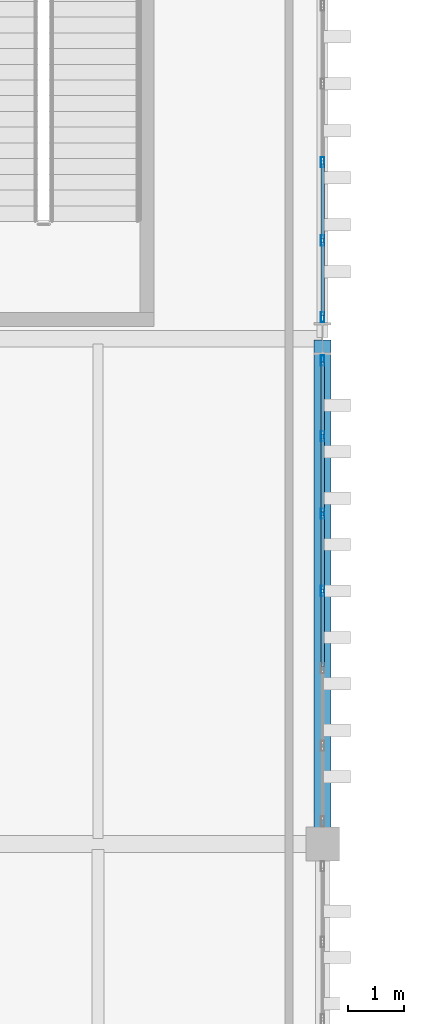
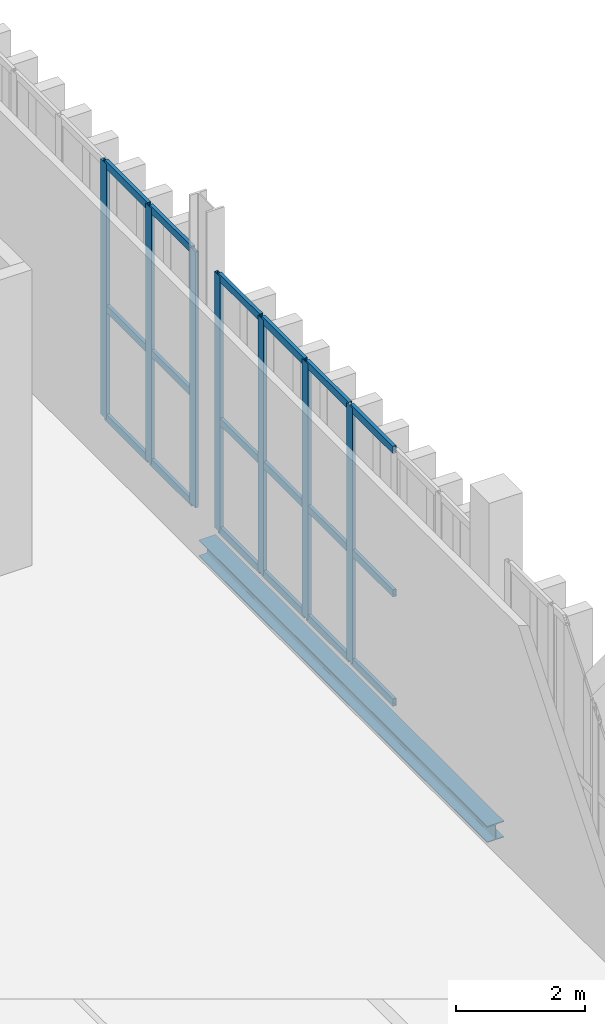
# One storey, part 132 of 237: 25 members, 1 beam, 2 elements without a shape of their own.
"""IFC4 building model written with IfcOpenShell, lengths in metres."""

from ifc_helpers import new_model, si_unit, direction, frame, origin, origin_2d, place, context, subcontext, project, spatial, hollow_rectangle, i_section, extrude, material, layer, layer_set, material_profile, profile_set, type_object, element, aggregate, save


model = new_model("IFC4")

# Units and contexts
model_context = context("Model", 3, precision=1e-05, world=origin(), true_north=direction((0.0, 1.0)))
body_context = subcontext(model_context, "Body", "Model", "MODEL_VIEW")
ifc_project = project(units=[si_unit("LENGTHUNIT", "METRE"), si_unit("AREAUNIT", "SQUARE_METRE"), si_unit("VOLUMEUNIT", "CUBIC_METRE"), si_unit("PLANEANGLEUNIT", "RADIAN"), si_unit("MASSUNIT", "GRAM", prefix="KILO")], contexts=[model_context])

# Site, building, storey
site_placement = place(None, origin())
site = spatial("IfcSite", under=ifc_project, at=site_placement, CompositionType="ELEMENT")
building_placement = place(site_placement, origin())
building = spatial("IfcBuilding", under=site, at=building_placement, Name="Barlavento Convention Centre", CompositionType="ELEMENT")
storey_placement = place(building_placement, frame((0.0, 0.0, 12.0)))
storey = spatial("IfcBuildingStorey", under=building, at=storey_placement, Name="L02", CompositionType="ELEMENT", Elevation=12.0)

# Curtain wall, members
ifc_material_1 = material(Name="Powder-coated aluminium and Low-E glass", Category="aluminium")
ifc_layer = layer(ifc_material_1, 0.195068359375)
ifc_layer_set = layer_set([ifc_layer], Name="ARC-CW-BALL-L02")
curtain_wall_type = type_object("IfcCurtainWallType", Name="ARC-CW-BALL-L02", PredefinedType="NOTDEFINED", material=ifc_layer_set)
curtain_wall_1_placement = place(storey_placement, origin())
curtain_wall_1 = element("IfcCurtainWall", 1, at=curtain_wall_1_placement, inside=storey, type_object=curtain_wall_type, Name="L02 unitised curtain wall CW07", PredefinedType="NOTDEFINED")
ifc_material_2 = material(Name="Powder-coated aluminium", Category="aluminium")
ifc_material_profile_1 = material_profile(ifc_material_2, hollow_rectangle(XDim=0.06005859375, YDim=0.179931640625, WallThickness=0.0048828125, at=origin_2d()), Name="AL-MULL 60x180x5")
ifc_profile_set_1 = profile_set([ifc_material_profile_1], Name="Powder-coated aluminium")
member_type_1 = type_object("IfcMemberType", Name="ARC-CWM-60X180", PredefinedType="MULLION", material=ifc_profile_set_1)
member_1_placement = place(storey_placement, frame((192.0, 31.507080078125, 0.0), z_axis=(0.0, 0.0, 1.0), x_axis=(-1.0, 0.0, 0.0)))
member_1 = element("IfcMember", 2, at=member_1_placement, type_object=member_type_1, Name="CW07 mullion 4", PredefinedType="MULLION", context=body_context, shape_type="SweptSolid", body=[
    extrude(hollow_rectangle(XDim=0.06005859375, YDim=0.179931640625, WallThickness=0.0048828125, at=origin_2d()), origin(), (0.0, 0.0, 1.0), 4.85009765625),
])
member_2_placement = place(storey_placement, frame((192.0, 32.885986328125, 0.0), z_axis=(0.0, 0.0, 1.0), x_axis=(-1.0, 0.0, 0.0)))
member_2 = element("IfcMember", 3, at=member_2_placement, type_object=member_type_1, Name="CW07 mullion 5", PredefinedType="MULLION", context=body_context, shape_type="SweptSolid", body=[
    extrude(hollow_rectangle(XDim=0.06005859375, YDim=0.179931640625, WallThickness=0.0048828125, at=origin_2d()), origin(), (0.0, 0.0, 1.0), 4.85009765625),
])
member_3_placement = place(storey_placement, frame((192.0, 34.264892578125, 0.0), z_axis=(0.0, 0.0, 1.0), x_axis=(-1.0, 0.0, 0.0)))
member_3 = element("IfcMember", 4, at=member_3_placement, type_object=member_type_1, Name="CW07 mullion 6", PredefinedType="MULLION", context=body_context, shape_type="SweptSolid", body=[
    extrude(hollow_rectangle(XDim=0.06005859375, YDim=0.179931640625, WallThickness=0.0048828125, at=origin_2d()), origin(), (0.0, 0.0, 1.0), 4.85009765625),
])
member_4_placement = place(storey_placement, frame((192.0, 35.614013671875, 0.0), z_axis=(0.0, 0.0, 1.0), x_axis=(-1.0, 0.0, 0.0)))
member_4 = element("IfcMember", 5, at=member_4_placement, type_object=member_type_1, Name="CW07 mullion 7", PredefinedType="MULLION", context=body_context, shape_type="SweptSolid", body=[
    extrude(hollow_rectangle(XDim=0.06005859375, YDim=0.179931640625, WallThickness=0.0048828125, at=origin_2d()), origin(), (0.0, 0.0, 1.0), 4.85009765625),
])

curtain_wall_2_placement = place(storey_placement, origin())
curtain_wall_2 = element("IfcCurtainWall", 6, at=curtain_wall_2_placement, inside=storey, type_object=curtain_wall_type, Name="L02 unitised curtain wall CW07", PredefinedType="NOTDEFINED")
member_5_placement = place(storey_placement, frame((192.0, 36.385986328125, 0.0), z_axis=(0.0, 0.0, 1.0), x_axis=(-1.0, 0.0, 0.0)))
member_5 = element("IfcMember", 7, at=member_5_placement, type_object=member_type_1, Name="CW07 mullion 1", PredefinedType="MULLION", context=body_context, shape_type="SweptSolid", body=[
    extrude(hollow_rectangle(XDim=0.06005859375, YDim=0.179931640625, WallThickness=0.0048828125, at=origin_2d()), origin(), (0.0, 0.0, 1.0), 4.85009765625),
])
member_6_placement = place(storey_placement, frame((192.0, 37.751220703125, 0.0), z_axis=(0.0, 0.0, 1.0), x_axis=(-1.0, 0.0, 0.0)))
member_6 = element("IfcMember", 8, at=member_6_placement, type_object=member_type_1, Name="CW07 mullion 2", PredefinedType="MULLION", context=body_context, shape_type="SweptSolid", body=[
    extrude(hollow_rectangle(XDim=0.06005859375, YDim=0.179931640625, WallThickness=0.0048828125, at=origin_2d()), origin(), (0.0, 0.0, 1.0), 4.85009765625),
])
member_7_placement = place(storey_placement, frame((192.0, 39.146240234375, 0.0), z_axis=(0.0, 0.0, 1.0), x_axis=(-1.0, 0.0, 0.0)))
member_7 = element("IfcMember", 9, at=member_7_placement, type_object=member_type_1, Name="CW07 mullion 3", PredefinedType="MULLION", context=body_context, shape_type="SweptSolid", body=[
    extrude(hollow_rectangle(XDim=0.06005859375, YDim=0.179931640625, WallThickness=0.0048828125, at=origin_2d()), origin(), (0.0, 0.0, 1.0), 4.85009765625),
])

# Member
ifc_material_profile_2 = material_profile(ifc_material_2, hollow_rectangle(XDim=0.06005859375, YDim=0.139892578125, WallThickness=0.00390625, at=origin_2d()), Name="AL-TRAN 60x140x4")
ifc_profile_set_2 = profile_set([ifc_material_profile_2], Name="Powder-coated aluminium")
member_type_2 = type_object("IfcMemberType", Name="ARC-CWT-60X140", PredefinedType="USERDEFINED", material=ifc_profile_set_2)
member_8_placement = place(storey_placement, frame((192.0, 30.157958984375, 0.030029296875), z_axis=(0.0, 1.0, 0.0), x_axis=(-1.0, 0.0, 0.0)))
member_8 = element("IfcMember", 10, at=member_8_placement, type_object=member_type_2, Name="CW07 transom 3.1", ObjectType="TRANSOM", PredefinedType="USERDEFINED", context=body_context, shape_type="SweptSolid", body=[
    extrude(hollow_rectangle(XDim=0.06005859375, YDim=0.139892578125, WallThickness=0.00390625, at=origin_2d()), origin(), (0.0, 0.0, 1.0), 1.319091796875),
])

member_9_placement = place(storey_placement, frame((192.0, 30.157958984375, 2.10009765625), z_axis=(0.0, 1.0, 0.0), x_axis=(-1.0, 0.0, 0.0)))
member_9 = element("IfcMember", 11, at=member_9_placement, type_object=member_type_2, Name="CW07 transom 3.2", ObjectType="TRANSOM", PredefinedType="USERDEFINED", context=body_context, shape_type="SweptSolid", body=[
    extrude(hollow_rectangle(XDim=0.06005859375, YDim=0.139892578125, WallThickness=0.00390625, at=origin_2d()), origin(), (0.0, 0.0, 1.0), 1.319091796875),
])

member_10_placement = place(storey_placement, frame((192.0, 30.157958984375, 4.820068359375), z_axis=(0.0, 1.0, 0.0), x_axis=(-1.0, 0.0, 0.0)))
member_10 = element("IfcMember", 12, at=member_10_placement, type_object=member_type_2, Name="CW07 transom 3.3", ObjectType="TRANSOM", PredefinedType="USERDEFINED", context=body_context, shape_type="SweptSolid", body=[
    extrude(hollow_rectangle(XDim=0.06005859375, YDim=0.139892578125, WallThickness=0.00390625, at=origin_2d()), origin(), (0.0, 0.0, 1.0), 1.319091796875),
])

member_11_placement = place(storey_placement, frame((192.0, 31.537109375, 0.030029296875), z_axis=(0.0, 1.0, 0.0), x_axis=(-1.0, 0.0, 0.0)))
member_11 = element("IfcMember", 13, at=member_11_placement, type_object=member_type_2, Name="CW07 transom 4.1", ObjectType="TRANSOM", PredefinedType="USERDEFINED", context=body_context, shape_type="SweptSolid", body=[
    extrude(hollow_rectangle(XDim=0.06005859375, YDim=0.139892578125, WallThickness=0.00390625, at=origin_2d()), origin(), (0.0, 0.0, 1.0), 1.31884765625),
])

member_12_placement = place(storey_placement, frame((192.0, 31.537109375, 2.10009765625), z_axis=(0.0, 1.0, 0.0), x_axis=(-1.0, 0.0, 0.0)))
member_12 = element("IfcMember", 14, at=member_12_placement, type_object=member_type_2, Name="CW07 transom 4.2", ObjectType="TRANSOM", PredefinedType="USERDEFINED", context=body_context, shape_type="SweptSolid", body=[
    extrude(hollow_rectangle(XDim=0.06005859375, YDim=0.139892578125, WallThickness=0.00390625, at=origin_2d()), origin(), (0.0, 0.0, 1.0), 1.31884765625),
])

member_13_placement = place(storey_placement, frame((192.0, 31.537109375, 4.820068359375), z_axis=(0.0, 1.0, 0.0), x_axis=(-1.0, 0.0, 0.0)))
member_13 = element("IfcMember", 15, at=member_13_placement, type_object=member_type_2, Name="CW07 transom 4.3", ObjectType="TRANSOM", PredefinedType="USERDEFINED", context=body_context, shape_type="SweptSolid", body=[
    extrude(hollow_rectangle(XDim=0.06005859375, YDim=0.139892578125, WallThickness=0.00390625, at=origin_2d()), origin(), (0.0, 0.0, 1.0), 1.31884765625),
])

member_14_placement = place(storey_placement, frame((192.0, 32.916015625, 0.030029296875), z_axis=(0.0, 1.0, 0.0), x_axis=(-1.0, 0.0, 0.0)))
member_14 = element("IfcMember", 16, at=member_14_placement, type_object=member_type_2, Name="CW07 transom 5.1", ObjectType="TRANSOM", PredefinedType="USERDEFINED", context=body_context, shape_type="SweptSolid", body=[
    extrude(hollow_rectangle(XDim=0.06005859375, YDim=0.139892578125, WallThickness=0.00390625, at=origin_2d()), origin(), (0.0, 0.0, 1.0), 1.319091796875),
])

member_15_placement = place(storey_placement, frame((192.0, 32.916015625, 2.10009765625), z_axis=(0.0, 1.0, 0.0), x_axis=(-1.0, 0.0, 0.0)))
member_15 = element("IfcMember", 17, at=member_15_placement, type_object=member_type_2, Name="CW07 transom 5.2", ObjectType="TRANSOM", PredefinedType="USERDEFINED", context=body_context, shape_type="SweptSolid", body=[
    extrude(hollow_rectangle(XDim=0.06005859375, YDim=0.139892578125, WallThickness=0.00390625, at=origin_2d()), origin(), (0.0, 0.0, 1.0), 1.319091796875),
])

member_16_placement = place(storey_placement, frame((192.0, 32.916015625, 4.820068359375), z_axis=(0.0, 1.0, 0.0), x_axis=(-1.0, 0.0, 0.0)))
member_16 = element("IfcMember", 18, at=member_16_placement, type_object=member_type_2, Name="CW07 transom 5.3", ObjectType="TRANSOM", PredefinedType="USERDEFINED", context=body_context, shape_type="SweptSolid", body=[
    extrude(hollow_rectangle(XDim=0.06005859375, YDim=0.139892578125, WallThickness=0.00390625, at=origin_2d()), origin(), (0.0, 0.0, 1.0), 1.319091796875),
])

member_17_placement = place(storey_placement, frame((192.0, 34.294921875, 0.030029296875), z_axis=(0.0, 1.0, 0.0), x_axis=(-1.0, 0.0, 0.0)))
member_17 = element("IfcMember", 19, at=member_17_placement, type_object=member_type_2, Name="CW07 transom 6.1", ObjectType="TRANSOM", PredefinedType="USERDEFINED", context=body_context, shape_type="SweptSolid", body=[
    extrude(hollow_rectangle(XDim=0.06005859375, YDim=0.139892578125, WallThickness=0.00390625, at=origin_2d()), origin(), (0.0, 0.0, 1.0), 1.2890625),
])

member_18_placement = place(storey_placement, frame((192.0, 34.294921875, 2.10009765625), z_axis=(0.0, 1.0, 0.0), x_axis=(-1.0, 0.0, 0.0)))
member_18 = element("IfcMember", 20, at=member_18_placement, type_object=member_type_2, Name="CW07 transom 6.2", ObjectType="TRANSOM", PredefinedType="USERDEFINED", context=body_context, shape_type="SweptSolid", body=[
    extrude(hollow_rectangle(XDim=0.06005859375, YDim=0.139892578125, WallThickness=0.00390625, at=origin_2d()), origin(), (0.0, 0.0, 1.0), 1.2890625),
])

member_19_placement = place(storey_placement, frame((192.0, 34.294921875, 4.820068359375), z_axis=(0.0, 1.0, 0.0), x_axis=(-1.0, 0.0, 0.0)))
member_19 = element("IfcMember", 21, at=member_19_placement, type_object=member_type_2, Name="CW07 transom 6.3", ObjectType="TRANSOM", PredefinedType="USERDEFINED", context=body_context, shape_type="SweptSolid", body=[
    extrude(hollow_rectangle(XDim=0.06005859375, YDim=0.139892578125, WallThickness=0.00390625, at=origin_2d()), origin(), (0.0, 0.0, 1.0), 1.2890625),
])

aggregate(curtain_wall_1, [member_1, member_2, member_3, member_4, member_8, member_9, member_10, member_11, member_12, member_13, member_14, member_15, member_16, member_17, member_18, member_19])

member_20_placement = place(storey_placement, frame((192.0, 36.416015625, 0.030029296875), z_axis=(0.0, 1.0, 0.0), x_axis=(-1.0, 0.0, 0.0)))
member_20 = element("IfcMember", 22, at=member_20_placement, type_object=member_type_2, Name="CW07 transom 1.1", ObjectType="TRANSOM", PredefinedType="USERDEFINED", context=body_context, shape_type="SweptSolid", body=[
    extrude(hollow_rectangle(XDim=0.06005859375, YDim=0.139892578125, WallThickness=0.00390625, at=origin_2d()), origin(), (0.0, 0.0, 1.0), 1.30517578125),
])

member_21_placement = place(storey_placement, frame((192.0, 36.416015625, 2.10009765625), z_axis=(0.0, 1.0, 0.0), x_axis=(-1.0, 0.0, 0.0)))
member_21 = element("IfcMember", 23, at=member_21_placement, type_object=member_type_2, Name="CW07 transom 1.2", ObjectType="TRANSOM", PredefinedType="USERDEFINED", context=body_context, shape_type="SweptSolid", body=[
    extrude(hollow_rectangle(XDim=0.06005859375, YDim=0.139892578125, WallThickness=0.00390625, at=origin_2d()), origin(), (0.0, 0.0, 1.0), 1.30517578125),
])

member_22_placement = place(storey_placement, frame((192.0, 36.416015625, 4.820068359375), z_axis=(0.0, 1.0, 0.0), x_axis=(-1.0, 0.0, 0.0)))
member_22 = element("IfcMember", 24, at=member_22_placement, type_object=member_type_2, Name="CW07 transom 1.3", ObjectType="TRANSOM", PredefinedType="USERDEFINED", context=body_context, shape_type="SweptSolid", body=[
    extrude(hollow_rectangle(XDim=0.06005859375, YDim=0.139892578125, WallThickness=0.00390625, at=origin_2d()), origin(), (0.0, 0.0, 1.0), 1.30517578125),
])

member_23_placement = place(storey_placement, frame((192.0, 37.78125, 0.030029296875), z_axis=(0.0, 1.0, 0.0), x_axis=(-1.0, 0.0, 0.0)))
member_23 = element("IfcMember", 25, at=member_23_placement, type_object=member_type_2, Name="CW07 transom 2.1", ObjectType="TRANSOM", PredefinedType="USERDEFINED", context=body_context, shape_type="SweptSolid", body=[
    extrude(hollow_rectangle(XDim=0.06005859375, YDim=0.139892578125, WallThickness=0.00390625, at=origin_2d()), origin(), (0.0, 0.0, 1.0), 1.3349609375),
])

member_24_placement = place(storey_placement, frame((192.0, 37.78125, 2.10009765625), z_axis=(0.0, 1.0, 0.0), x_axis=(-1.0, 0.0, 0.0)))
member_24 = element("IfcMember", 26, at=member_24_placement, type_object=member_type_2, Name="CW07 transom 2.2", ObjectType="TRANSOM", PredefinedType="USERDEFINED", context=body_context, shape_type="SweptSolid", body=[
    extrude(hollow_rectangle(XDim=0.06005859375, YDim=0.139892578125, WallThickness=0.00390625, at=origin_2d()), origin(), (0.0, 0.0, 1.0), 1.3349609375),
])

member_25_placement = place(storey_placement, frame((192.0, 37.78125, 4.820068359375), z_axis=(0.0, 1.0, 0.0), x_axis=(-1.0, 0.0, 0.0)))
member_25 = element("IfcMember", 27, at=member_25_placement, type_object=member_type_2, Name="CW07 transom 2.3", ObjectType="TRANSOM", PredefinedType="USERDEFINED", context=body_context, shape_type="SweptSolid", body=[
    extrude(hollow_rectangle(XDim=0.06005859375, YDim=0.139892578125, WallThickness=0.00390625, at=origin_2d()), origin(), (0.0, 0.0, 1.0), 1.3349609375),
])

aggregate(curtain_wall_2, [member_5, member_6, member_7, member_20, member_21, member_22, member_23, member_24, member_25])

# Beam
ifc_material_3 = material(Name="Steel S355", Category="steel")
ifc_material_profile_3 = material_profile(ifc_material_3, i_section(OverallWidth=0.300048828125, OverallDepth=0.31005859375, WebThickness=0.009033203125, FlangeThickness=0.015380859375, FilletRadius=0.027099609375, at=origin_2d()), Name="HEA 320")
ifc_profile_set_3 = profile_set([ifc_material_profile_3], Name="Steel S355")
beam_type = type_object("IfcBeamType", Name="STR-BM-SPN-HEA320", PredefinedType="SPANDREL", material=ifc_profile_set_3)
beam_placement = place(storey_placement, frame((192.0, 27.02001953125, -0.52490234375), z_axis=(0.0, 1.0, 0.0), x_axis=(-1.0, 0.0, 0.0)))
element("IfcBeam", 28, at=beam_placement, inside=storey, type_object=beam_type, Name="L02 grid girder SP01", PredefinedType="SPANDREL", context=body_context, shape_type="SweptSolid", body=[
    extrude(i_section(OverallWidth=0.300048828125, OverallDepth=0.31005859375, WebThickness=0.009033203125, FlangeThickness=0.015380859375, FilletRadius=0.027099609375, at=origin_2d()), origin(), (0.0, 0.0, 1.0), 8.9599609375),
])

save(model, "model.ifc")
